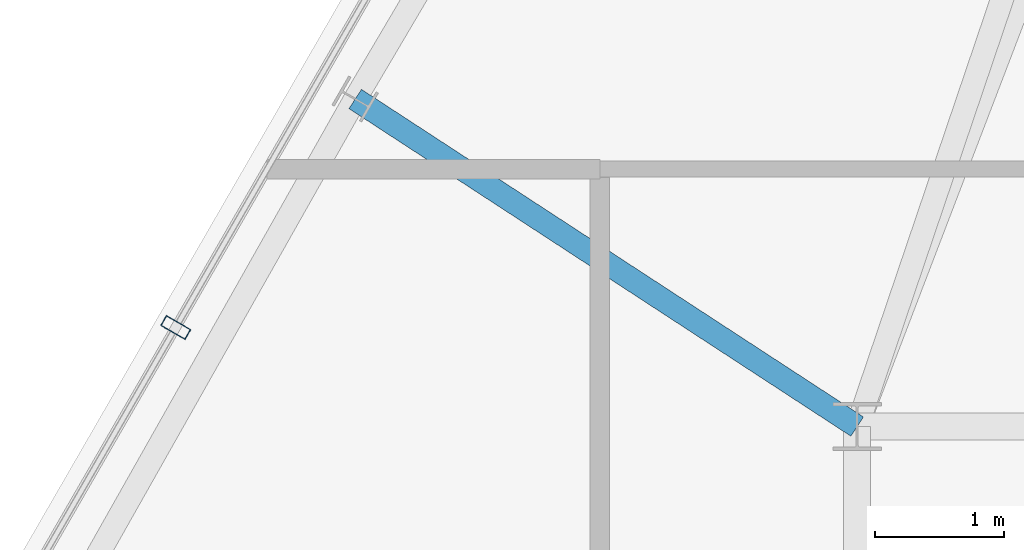
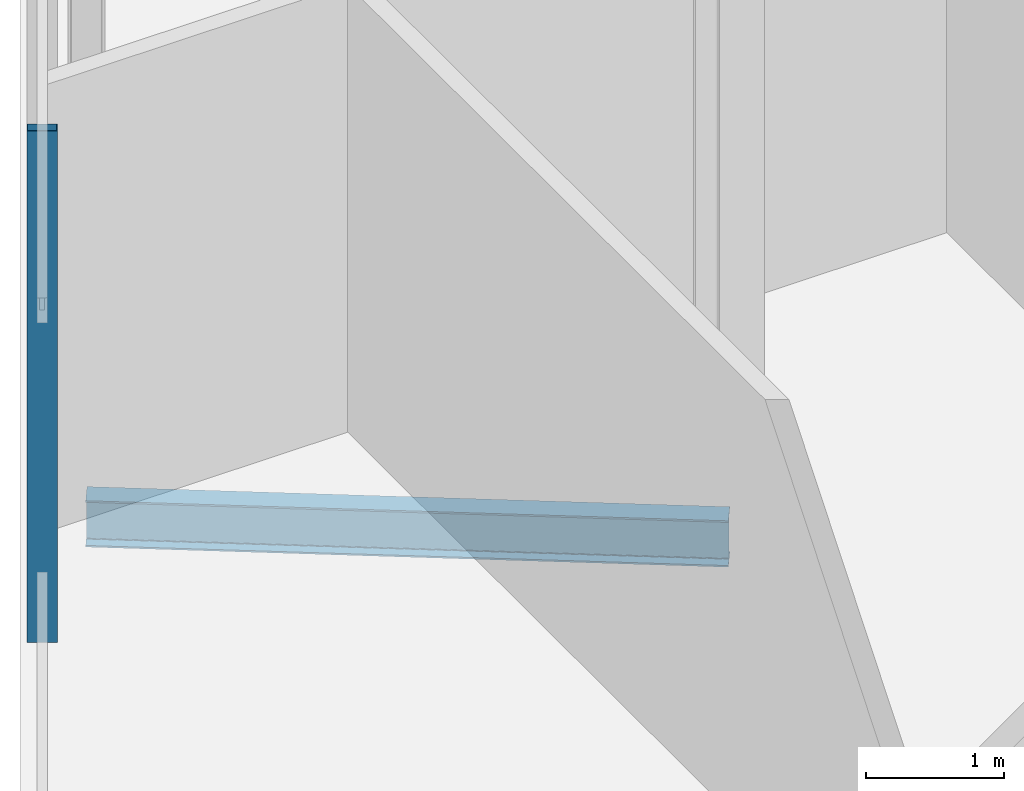
# One storey, part 9 of 25: 1 beam, 1 member, 1 element without a shape of its own.
"""IFC4 building model written with IfcOpenShell, lengths in metres."""

from ifc_helpers import new_model, si_unit, direction, frame, origin, origin_2d, place, context, subcontext, project, spatial, hollow_rectangle, i_section, extrude, material, layer, layer_set, material_profile, profile_set, type_object, element, aggregate, save


model = new_model("IFC4")

# Units and contexts
model_context = context("Model", 3, precision=1e-05, world=origin(), true_north=direction((0.0, 1.0)))
body_context = subcontext(model_context, "Body", "Model", "MODEL_VIEW")
ifc_project = project(units=[si_unit("LENGTHUNIT", "METRE"), si_unit("AREAUNIT", "SQUARE_METRE"), si_unit("VOLUMEUNIT", "CUBIC_METRE"), si_unit("PLANEANGLEUNIT", "RADIAN"), si_unit("MASSUNIT", "GRAM", prefix="KILO")], contexts=[model_context])

# Site, building, storey
site_placement = place(None, origin())
site = spatial("IfcSite", under=ifc_project, at=site_placement, CompositionType="ELEMENT")
building_placement = place(site_placement, origin())
building = spatial("IfcBuilding", under=site, at=building_placement, Name="Ndaravel Arena Tower", CompositionType="ELEMENT")
storey_placement = place(building_placement, frame((0.0, 0.0, 298.5)))
storey = spatial("IfcBuildingStorey", under=building, at=storey_placement, Name="L73", CompositionType="ELEMENT", Elevation=298.5)

# Beam
ifc_material_1 = material(Name="Steel S355", Category="steel")
ifc_material_profile_1 = material_profile(ifc_material_1, i_section(OverallWidth=0.1787109375, OverallDepth=0.409423828125, WebThickness=0.0087890625, FlangeThickness=0.014404296875, FilletRadius=0.01025390625, at=origin_2d()), Name="UB 406x178x67")
ifc_profile_set_1 = profile_set([ifc_material_profile_1], Name="Steel S355")
beam_type = type_object("IfcBeamType", Name="BM-GIRD-UB406", PredefinedType="BEAM", material=ifc_profile_set_1)
beam_placement = place(storey_placement, frame((30.2998046875, 25.745361328125, -0.484619140625), z_axis=(0.837430135703, -0.546544387783, 0.0), x_axis=(0.546544387783, 0.837430135703, 0.0)))
element("IfcBeam", 1, at=beam_placement, inside=storey, type_object=beam_type, Name="L73 Radial Floor Girder FG-19", PredefinedType="BEAM", context=body_context, shape_type="SweptSolid", body=[
    extrude(i_section(OverallWidth=0.1787109375, OverallDepth=0.409423828125, WebThickness=0.0087890625, FlangeThickness=0.014404296875, FilletRadius=0.01025390625, at=origin_2d()), origin(), (0.0, 0.0, 1.0), 4.6572265625),
])

# Curtain wall, member
ifc_material_2 = material(Name="Aluminium", Category="aluminium")
ifc_layer = layer(ifc_material_2, 0.179931640625)
ifc_layer_set = layer_set([ifc_layer], Name="Aluminium")
curtain_wall_type = type_object("IfcCurtainWallType", Name="CW-SYS-04", PredefinedType="NOTDEFINED", material=ifc_layer_set)
curtain_wall_placement = place(storey_placement, origin())
curtain_wall = element("IfcCurtainWall", 2, at=curtain_wall_placement, inside=storey, type_object=curtain_wall_type, Name="L73 Faceted Crystal Curtain Wall CW-L73-E05", PredefinedType="NOTDEFINED")
ifc_material_3 = material(Name="Aluminium", Category="aluminium")
ifc_material_profile_2 = material_profile(ifc_material_3, hollow_rectangle(XDim=0.090087890625, YDim=0.219970703125, WallThickness=0.0048828125, at=origin_2d()), Name="CW MULLION 90x220x5")
ifc_profile_set_2 = profile_set([ifc_material_profile_2], Name="Aluminium")
member_type = type_object("IfcMemberType", Name="MEM-CW-MUL220", PredefinedType="MULLION", material=ifc_profile_set_2)
member_placement = place(storey_placement, frame((28.9052734375, 23.9697265625, 0.0), z_axis=(0.0, 0.0, 1.0), x_axis=(-0.5, -0.866025403784, 0.0)))
member = element("IfcMember", 3, at=member_placement, type_object=member_type, Name="CW-L73-E05 Mullion 05", PredefinedType="MULLION", context=body_context, shape_type="SweptSolid", body=[
    extrude(hollow_rectangle(XDim=0.090087890625, YDim=0.219970703125, WallThickness=0.0048828125, at=origin_2d()), origin(), (0.0, 0.0, 1.0), 4.52001953125),
])
aggregate(curtain_wall, [member])

save(model, "model.ifc")
